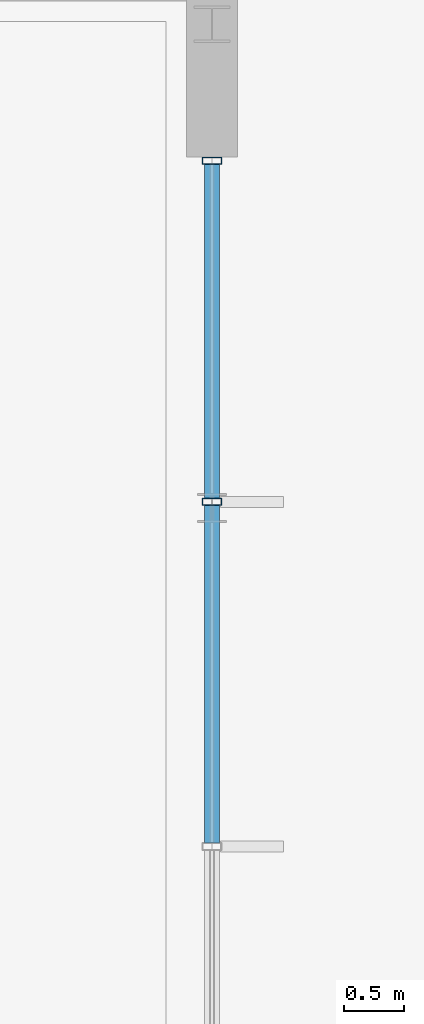
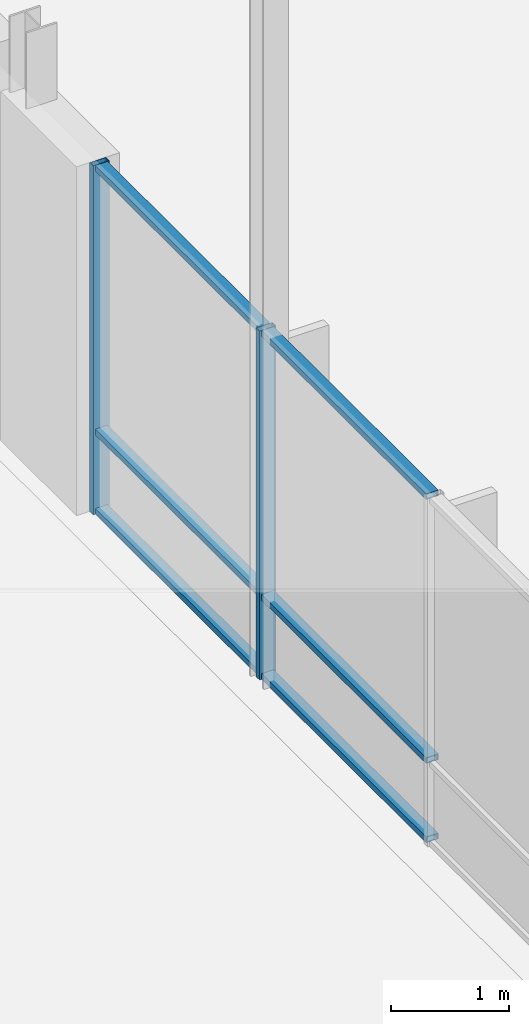
# One storey, part 65 of 233: 8 members, 1 element without a shape of its own.
"""IFC4 building model written with IfcOpenShell, lengths in metres."""

from ifc_helpers import new_model, si_unit, direction, frame, origin, origin_2d, place, context, subcontext, project, spatial, hollow_rectangle, extrude, material, material_profile, profile_set, type_object, element, aggregate, save


model = new_model("IFC4")

# Units and contexts
model_context = context("Model", 3, precision=1e-05, world=origin(), true_north=direction((0.0, 1.0)))
body_context = subcontext(model_context, "Body", "Model", "MODEL_VIEW")
ifc_project = project(units=[si_unit("LENGTHUNIT", "METRE"), si_unit("AREAUNIT", "SQUARE_METRE"), si_unit("VOLUMEUNIT", "CUBIC_METRE"), si_unit("PLANEANGLEUNIT", "RADIAN"), si_unit("MASSUNIT", "GRAM", prefix="KILO")], contexts=[model_context])

# Site, building, storey
site_placement = place(None, origin())
site = spatial("IfcSite", under=ifc_project, at=site_placement, CompositionType="ELEMENT")
building_placement = place(site_placement, origin())
building = spatial("IfcBuilding", under=site, at=building_placement, Name="Zavelmont Quarter", CompositionType="ELEMENT")
storey_placement = place(building_placement, origin())
storey = spatial("IfcBuildingStorey", under=building, at=storey_placement, Name="L00", CompositionType="ELEMENT", Elevation=0.0)

# Curtain wall, members
ifc_material_1 = material(Name="Thermally broken aluminium and double low-E safety glazing", Category="aluminium")
curtain_wall_type = type_object("IfcCurtainWallType", Name="CW-1140X361", PredefinedType="NOTDEFINED", material=ifc_material_1)
curtain_wall_placement = place(storey_placement, origin())
curtain_wall = element("IfcCurtainWall", 1, at=curtain_wall_placement, inside=storey, type_object=curtain_wall_type, Name="L00 unitised curtain wall CW-1140X361", PredefinedType="NOTDEFINED")
ifc_material_2 = material(Name="Powder-coated aluminium EN AW-6063-T6", Category="aluminium")
ifc_material_profile_1 = material_profile(ifc_material_2, hollow_rectangle(XDim=0.06005859375, YDim=0.159912109375, WallThickness=0.00390625, at=origin_2d()), Name="CWM60X160")
ifc_profile_set_1 = profile_set([ifc_material_profile_1], Name="Powder-coated aluminium EN AW-6063-T6")
member_type_1 = type_object("IfcMemberType", Name="CWM01", PredefinedType="MULLION", material=ifc_profile_set_1)
member_1_placement = place(storey_placement, frame((76.0, 10.050048828125, 0.0), z_axis=(0.0, 0.0, 1.0), x_axis=(0.0, 1.0, 0.0)))
member_1 = element("IfcMember", 2, at=member_1_placement, type_object=member_type_1, Name="CW-1140X361 mullion 4", PredefinedType="MULLION", context=body_context, shape_type="SweptSolid", body=[
    extrude(hollow_rectangle(XDim=0.06005859375, YDim=0.159912109375, WallThickness=0.00390625, at=origin_2d()), origin(), (0.0, 0.0, 1.0), 3.610107421875),
])
member_2_placement = place(storey_placement, frame((76.0, 12.8701171875, 0.0), z_axis=(0.0, 0.0, 1.0), x_axis=(0.0, 1.0, 0.0)))
member_2 = element("IfcMember", 3, at=member_2_placement, type_object=member_type_1, Name="CW-1140X361 mullion 5", PredefinedType="MULLION", context=body_context, shape_type="SweptSolid", body=[
    extrude(hollow_rectangle(XDim=0.06005859375, YDim=0.159912109375, WallThickness=0.00390625, at=origin_2d()), origin(), (0.0, 0.0, 1.0), 3.610107421875),
])
ifc_material_profile_2 = material_profile(ifc_material_2, hollow_rectangle(XDim=0.1201171875, YDim=0.06005859375, WallThickness=0.00390625, at=origin_2d()), Name="CWT60X120")
ifc_profile_set_2 = profile_set([ifc_material_profile_2], Name="Powder-coated aluminium EN AW-6063-T6")
member_type_2 = type_object("IfcMemberType", Name="CWT01", PredefinedType="NOTDEFINED", material=ifc_profile_set_2)
member_3_placement = place(storey_placement, frame((76.0, 7.22998046875, 0.030029296875), z_axis=(0.0, 1.0, 0.0), x_axis=(-1.0, 0.0, 0.0)))
member_3 = element("IfcMember", 4, at=member_3_placement, type_object=member_type_2, Name="CW-1140X361 transom 3.1", ObjectType="TRANSOM", PredefinedType="USERDEFINED", context=body_context, shape_type="SweptSolid", body=[
    extrude(hollow_rectangle(XDim=0.1201171875, YDim=0.06005859375, WallThickness=0.00390625, at=origin_2d()), origin(), (0.0, 0.0, 1.0), 2.7900390625),
])
member_4_placement = place(storey_placement, frame((76.0, 7.22998046875, 0.85009765625), z_axis=(0.0, 1.0, 0.0), x_axis=(-1.0, 0.0, 0.0)))
member_4 = element("IfcMember", 5, at=member_4_placement, type_object=member_type_2, Name="CW-1140X361 transom 3.2", ObjectType="TRANSOM", PredefinedType="USERDEFINED", context=body_context, shape_type="SweptSolid", body=[
    extrude(hollow_rectangle(XDim=0.1201171875, YDim=0.06005859375, WallThickness=0.00390625, at=origin_2d()), origin(), (0.0, 0.0, 1.0), 2.7900390625),
])
member_5_placement = place(storey_placement, frame((76.0, 7.22998046875, 3.580078125), z_axis=(0.0, 1.0, 0.0), x_axis=(-1.0, 0.0, 0.0)))
member_5 = element("IfcMember", 6, at=member_5_placement, type_object=member_type_2, Name="CW-1140X361 transom 3.3", ObjectType="TRANSOM", PredefinedType="USERDEFINED", context=body_context, shape_type="SweptSolid", body=[
    extrude(hollow_rectangle(XDim=0.1201171875, YDim=0.06005859375, WallThickness=0.00390625, at=origin_2d()), origin(), (0.0, 0.0, 1.0), 2.7900390625),
])
member_6_placement = place(storey_placement, frame((76.0, 10.080078125, 0.030029296875), z_axis=(0.0, 1.0, 0.0), x_axis=(-1.0, 0.0, 0.0)))
member_6 = element("IfcMember", 7, at=member_6_placement, type_object=member_type_2, Name="CW-1140X361 transom 4.1", ObjectType="TRANSOM", PredefinedType="USERDEFINED", context=body_context, shape_type="SweptSolid", body=[
    extrude(hollow_rectangle(XDim=0.1201171875, YDim=0.06005859375, WallThickness=0.00390625, at=origin_2d()), origin(), (0.0, 0.0, 1.0), 2.760009765625),
])
member_7_placement = place(storey_placement, frame((76.0, 10.080078125, 0.85009765625), z_axis=(0.0, 1.0, 0.0), x_axis=(-1.0, 0.0, 0.0)))
member_7 = element("IfcMember", 8, at=member_7_placement, type_object=member_type_2, Name="CW-1140X361 transom 4.2", ObjectType="TRANSOM", PredefinedType="USERDEFINED", context=body_context, shape_type="SweptSolid", body=[
    extrude(hollow_rectangle(XDim=0.1201171875, YDim=0.06005859375, WallThickness=0.00390625, at=origin_2d()), origin(), (0.0, 0.0, 1.0), 2.760009765625),
])
member_8_placement = place(storey_placement, frame((76.0, 10.080078125, 3.580078125), z_axis=(0.0, 1.0, 0.0), x_axis=(-1.0, 0.0, 0.0)))
member_8 = element("IfcMember", 9, at=member_8_placement, type_object=member_type_2, Name="CW-1140X361 transom 4.3", ObjectType="TRANSOM", PredefinedType="USERDEFINED", context=body_context, shape_type="SweptSolid", body=[
    extrude(hollow_rectangle(XDim=0.1201171875, YDim=0.06005859375, WallThickness=0.00390625, at=origin_2d()), origin(), (0.0, 0.0, 1.0), 2.760009765625),
])
aggregate(curtain_wall, [member_1, member_2, member_3, member_4, member_5, member_6, member_7, member_8])

save(model, "model.ifc")
